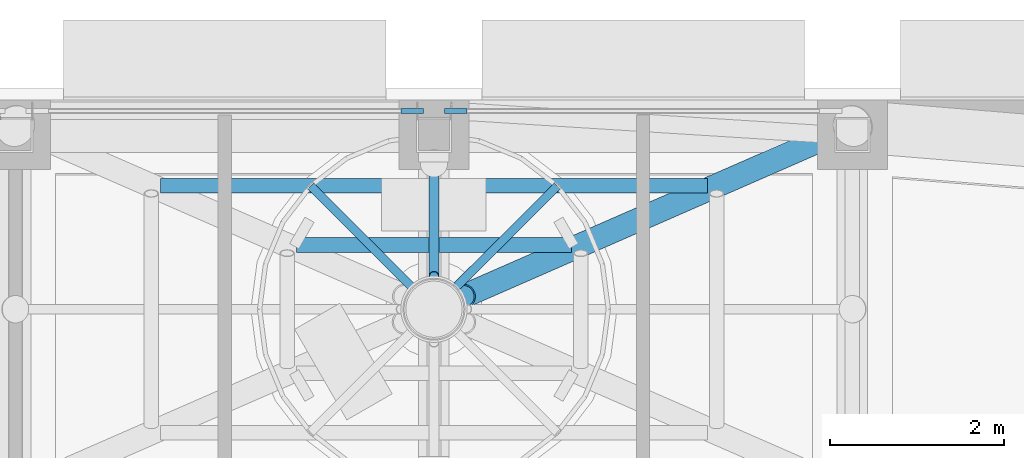
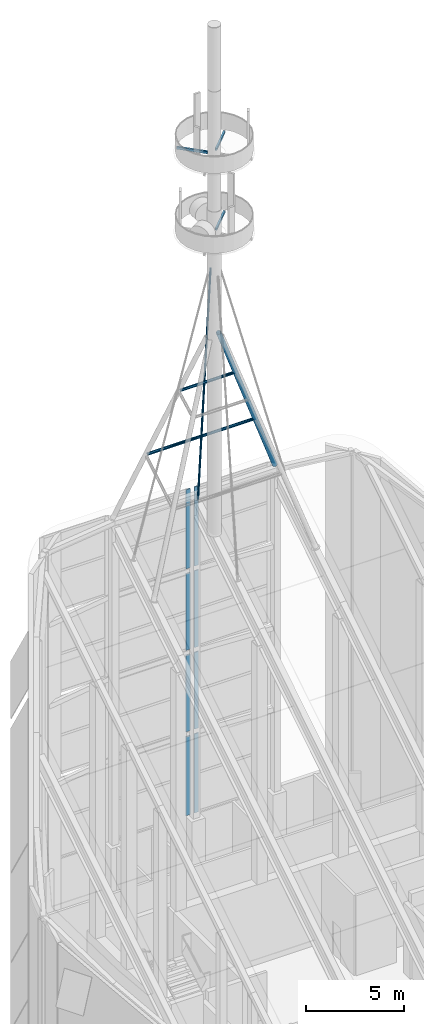
# One storey, part 5 of 25: 15 members, 8 elements without a shape of their own.
"""IFC4 building model written with IfcOpenShell, lengths in metres."""

from ifc_helpers import new_model, si_unit, direction, frame, origin, origin_2d, place, context, subcontext, project, spatial, rectangle, hollow_rectangle, hollow_circle, extrude, material, material_profile, profile_set, type_object, element, aggregate, save


model = new_model("IFC4")

# Units and contexts
model_context = context("Model", 3, precision=1e-05, world=origin(), true_north=direction((0.0, 1.0)))
body_context = subcontext(model_context, "Body", "Model", "MODEL_VIEW")
ifc_project = project(units=[si_unit("LENGTHUNIT", "METRE"), si_unit("AREAUNIT", "SQUARE_METRE"), si_unit("VOLUMEUNIT", "CUBIC_METRE"), si_unit("PLANEANGLEUNIT", "RADIAN"), si_unit("MASSUNIT", "GRAM", prefix="KILO")], contexts=[model_context])

# Site, building, storey
site_placement = place(None, origin())
site = spatial("IfcSite", under=ifc_project, at=site_placement, CompositionType="ELEMENT")
building_placement = place(site_placement, origin())
building = spatial("IfcBuilding", under=site, at=building_placement, Name="Kolab Exchange Tower", CompositionType="ELEMENT")
storey_placement = place(building_placement, frame((0.0, 0.0, 301.89990234375)))
storey = spatial("IfcBuildingStorey", under=building, at=storey_placement, Name="L68", CompositionType="ELEMENT", Elevation=301.89990234375)

# Curtain wall, member
ifc_material_1 = material(Name="Aluminium EN AW-6063 T6", Category="aluminium")
curtain_wall_type = type_object("IfcCurtainWallType", Name="CROWN GLAZING CURTAIN WALL", PredefinedType="NOTDEFINED", material=ifc_material_1)
curtain_wall_1_placement = place(storey_placement, origin())
curtain_wall_1 = element("IfcCurtainWall", 1, at=curtain_wall_1_placement, inside=storey, type_object=curtain_wall_type, Name="cw/L68/crown-F1-2-1", PredefinedType="NOTDEFINED")
ifc_material_profile_1 = material_profile(ifc_material_1, rectangle(XDim=0.06005859375, YDim=0.260009765625, at=origin_2d()), Name="RECT 60X260")
ifc_profile_set_1 = profile_set([ifc_material_profile_1], Name="Aluminium EN AW-6063 T6")
member_type_1 = type_object("IfcMemberType", Name="CROWN GLAZING MULLION 60 X 260", PredefinedType="MULLION", material=ifc_profile_set_1)
member_1_placement = place(storey_placement, frame((-0.25, 16.502685546875, 5.0), z_axis=(0.0, 0.0, 1.0), x_axis=(0.0, 1.0, 0.0)))
member_1 = element("IfcMember", 2, at=member_1_placement, type_object=member_type_1, Name="CW7 mullion 2", PredefinedType="MULLION", context=body_context, shape_type="SweptSolid", body=[
    extrude(rectangle(XDim=0.06005859375, YDim=0.260009765625, at=origin_2d()), origin(), (0.0, 0.0, 1.0), 4.951904296875),
])
aggregate(curtain_wall_1, [member_1])

curtain_wall_2_placement = place(storey_placement, origin())
curtain_wall_2 = element("IfcCurtainWall", 3, at=curtain_wall_2_placement, inside=storey, type_object=curtain_wall_type, Name="cw/L68/crown-F1-2-2", PredefinedType="NOTDEFINED")
member_2_placement = place(storey_placement, frame((-0.25, 16.502685546875, 10.251953125), z_axis=(0.0, 0.0, 1.0), x_axis=(0.0, 1.0, 0.0)))
member_2 = element("IfcMember", 4, at=member_2_placement, type_object=member_type_1, Name="CW7 mullion 2", PredefinedType="MULLION", context=body_context, shape_type="SweptSolid", body=[
    extrude(rectangle(XDim=0.06005859375, YDim=0.260009765625, at=origin_2d()), origin(), (0.0, 0.0, 1.0), 4.8017578125),
])
aggregate(curtain_wall_2, [member_2])

curtain_wall_3_placement = place(storey_placement, origin())
curtain_wall_3 = element("IfcCurtainWall", 5, at=curtain_wall_3_placement, inside=storey, type_object=curtain_wall_type, Name="cw/L68/crown-F1-2-3", PredefinedType="NOTDEFINED")
member_3_placement = place(storey_placement, frame((-0.25, 16.502685546875, 15.353759765625), z_axis=(0.0, 0.0, 1.0), x_axis=(0.0, 1.0, 0.0)))
member_3 = element("IfcMember", 6, at=member_3_placement, type_object=member_type_1, Name="CW7 mullion 2", PredefinedType="MULLION", context=body_context, shape_type="SweptSolid", body=[
    extrude(rectangle(XDim=0.06005859375, YDim=0.260009765625, at=origin_2d()), origin(), (0.0, 0.0, 1.0), 4.8017578125),
])
aggregate(curtain_wall_3, [member_3])

curtain_wall_4_placement = place(storey_placement, origin())
curtain_wall_4 = element("IfcCurtainWall", 7, at=curtain_wall_4_placement, inside=storey, type_object=curtain_wall_type, Name="cw/L68/crown-F1-2-4", PredefinedType="NOTDEFINED")
member_4_placement = place(storey_placement, frame((-0.25, 16.502685546875, 20.45556640625), z_axis=(0.0, 0.0, 1.0), x_axis=(0.0, 1.0, 0.0)))
member_4 = element("IfcMember", 8, at=member_4_placement, type_object=member_type_1, Name="CW7 mullion 2", PredefinedType="MULLION", context=body_context, shape_type="SweptSolid", body=[
    extrude(rectangle(XDim=0.06005859375, YDim=0.260009765625, at=origin_2d()), origin(), (0.0, 0.0, 1.0), 4.951904296875),
])
aggregate(curtain_wall_4, [member_4])

curtain_wall_5_placement = place(storey_placement, origin())
curtain_wall_5 = element("IfcCurtainWall", 9, at=curtain_wall_5_placement, inside=storey, type_object=curtain_wall_type, Name="cw/L68/crown-F1-3-1", PredefinedType="NOTDEFINED")
member_5_placement = place(storey_placement, frame((0.25, 16.502685546875, 5.0), z_axis=(0.0, 0.0, 1.0), x_axis=(0.0, 1.0, 0.0)))
member_5 = element("IfcMember", 10, at=member_5_placement, type_object=member_type_1, Name="CW7 mullion 1", PredefinedType="MULLION", context=body_context, shape_type="SweptSolid", body=[
    extrude(rectangle(XDim=0.06005859375, YDim=0.260009765625, at=origin_2d()), origin(), (0.0, 0.0, 1.0), 4.951904296875),
])
aggregate(curtain_wall_5, [member_5])

curtain_wall_6_placement = place(storey_placement, origin())
curtain_wall_6 = element("IfcCurtainWall", 11, at=curtain_wall_6_placement, inside=storey, type_object=curtain_wall_type, Name="cw/L68/crown-F1-3-2", PredefinedType="NOTDEFINED")
member_6_placement = place(storey_placement, frame((0.25, 16.502685546875, 10.251953125), z_axis=(0.0, 0.0, 1.0), x_axis=(0.0, 1.0, 0.0)))
member_6 = element("IfcMember", 12, at=member_6_placement, type_object=member_type_1, Name="CW7 mullion 1", PredefinedType="MULLION", context=body_context, shape_type="SweptSolid", body=[
    extrude(rectangle(XDim=0.06005859375, YDim=0.260009765625, at=origin_2d()), origin(), (0.0, 0.0, 1.0), 4.8017578125),
])
aggregate(curtain_wall_6, [member_6])

curtain_wall_7_placement = place(storey_placement, origin())
curtain_wall_7 = element("IfcCurtainWall", 13, at=curtain_wall_7_placement, inside=storey, type_object=curtain_wall_type, Name="cw/L68/crown-F1-3-3", PredefinedType="NOTDEFINED")
member_7_placement = place(storey_placement, frame((0.25, 16.502685546875, 15.353759765625), z_axis=(0.0, 0.0, 1.0), x_axis=(0.0, 1.0, 0.0)))
member_7 = element("IfcMember", 14, at=member_7_placement, type_object=member_type_1, Name="CW7 mullion 1", PredefinedType="MULLION", context=body_context, shape_type="SweptSolid", body=[
    extrude(rectangle(XDim=0.06005859375, YDim=0.260009765625, at=origin_2d()), origin(), (0.0, 0.0, 1.0), 4.8017578125),
])
aggregate(curtain_wall_7, [member_7])

curtain_wall_8_placement = place(storey_placement, origin())
curtain_wall_8 = element("IfcCurtainWall", 15, at=curtain_wall_8_placement, inside=storey, type_object=curtain_wall_type, Name="cw/L68/crown-F1-3-4", PredefinedType="NOTDEFINED")
member_8_placement = place(storey_placement, frame((0.25, 16.502685546875, 20.45556640625), z_axis=(0.0, 0.0, 1.0), x_axis=(0.0, 1.0, 0.0)))
member_8 = element("IfcMember", 16, at=member_8_placement, type_object=member_type_1, Name="CW7 mullion 1", PredefinedType="MULLION", context=body_context, shape_type="SweptSolid", body=[
    extrude(rectangle(XDim=0.06005859375, YDim=0.260009765625, at=origin_2d()), origin(), (0.0, 0.0, 1.0), 4.951904296875),
])
aggregate(curtain_wall_8, [member_8])

# Members
ifc_material_2 = material(Name="Steel S355", Category="steel")
ifc_material_profile_2 = material_profile(ifc_material_2, hollow_circle(Radius=0.083984375, WallThickness=0.010009765625, at=origin_2d()), Name="CHS 168X10")
ifc_profile_set_2 = profile_set([ifc_material_profile_2], Name="Steel S355")
member_type_2 = type_object("IfcMemberType", Name="MAST BRACING CHS 168 X 10", PredefinedType="STRUT", material=ifc_profile_set_2)
member_9_placement = place(storey_placement, frame((-3.135986328125, 15.64599609375, 29.12255859375), z_axis=(1.0, 0.0, 0.0), x_axis=(0.0, 1.0, 0.0)))
element("IfcMember", 17, at=member_9_placement, inside=storey, type_object=member_type_2, Name="Mast quadripod bracing", PredefinedType="STRUT", context=body_context, shape_type="SweptSolid", body=[
    extrude(hollow_circle(Radius=0.083984375, WallThickness=0.010009765625, at=origin_2d()), origin(), (0.0, 0.0, 1.0), 6.27197265625),
])
member_10_placement = place(storey_placement, frame((-1.578125, 14.964599609375, 32.976806640625), z_axis=(1.0, 0.0, 0.0), x_axis=(0.0, 1.0, 0.0)))
element("IfcMember", 18, at=member_10_placement, inside=storey, type_object=member_type_2, Name="Mast quadripod bracing", PredefinedType="STRUT", context=body_context, shape_type="SweptSolid", body=[
    extrude(hollow_circle(Radius=0.083984375, WallThickness=0.010009765625, at=origin_2d()), origin(), (0.0, 0.0, 1.0), 3.15625),
])
ifc_material_profile_3 = material_profile(ifc_material_2, hollow_circle(Radius=0.136474609375, WallThickness=0.01611328125, at=origin_2d()), Name="CHS 273X16")
ifc_profile_set_3 = profile_set([ifc_material_profile_3], Name="Steel S355")
member_type_3 = type_object("IfcMemberType", Name="MAST LEG CHS 273 X 16", PredefinedType="BRACE", material=ifc_profile_set_3)
member_11_placement = place(storey_placement, frame((4.800048828125, 16.32763671875, 25.26806640625), z_axis=(-0.369779846802, -0.161777415287, 0.914926736303), x_axis=(0.400816197806, -0.916158488241, 0.0)))
element("IfcMember", 19, at=member_11_placement, inside=storey, type_object=member_type_3, Name="Mast quadripod leg", PredefinedType="BRACE", context=body_context, shape_type="SweptSolid", body=[
    extrude(hollow_circle(Radius=0.136474609375, WallThickness=0.01611328125, at=origin_2d()), origin(), (0.0, 0.0, 1.0), 12.03662109375),
])
ifc_material_profile_4 = material_profile(ifc_material_2, hollow_rectangle(XDim=0.10009765625, YDim=0.14990234375, WallThickness=0.008056640625, at=origin_2d()), Name="RHS150X100X8")
ifc_profile_set_4 = profile_set([ifc_material_profile_4], Name="Steel S355")
member_type_4 = type_object("IfcMemberType", Name="MAST PLATFORM ARM RHS 150 X 100 X 8", PredefinedType="MEMBER", material=ifc_profile_set_4)
member_12_placement = place(storey_placement, frame((0.267333984375, 14.4951171875, 42.706298828125), z_axis=(0.70718204134, 0.707031513022, 0.0), x_axis=(-0.707031513022, 0.70718204134, 0.0)))
element("IfcMember", 20, at=member_12_placement, inside=storey, type_object=member_type_4, Name="Mast platform arm", PredefinedType="MEMBER", context=body_context, shape_type="SweptSolid", body=[
    extrude(hollow_rectangle(XDim=0.10009765625, YDim=0.14990234375, WallThickness=0.008056640625, at=origin_2d()), origin(), (0.0, 0.0, 1.0), 1.621826171875),
])
for number, where, z_axis, x_axis, name in (
    (21, (0.249267578125, 14.476806640625, 47.706298828125), (0.707106781187, 0.707106781187, 0.0), (-0.707106781187, 0.707106781187, 0.0), "Mast platform arm"),
    (22, (-0.249267578125, 14.476806640625, 47.706298828125), (-0.707106781187, 0.707106781187, 0.0), (-0.707106781187, -0.707106781187, 0.0), "Mast platform arm"),
):
    element("IfcMember", number, at=place(storey_placement, frame(where, z_axis=z_axis, x_axis=x_axis)), inside=storey, type_object=member_type_4, Name=name, PredefinedType="MEMBER", context=body_context, shape_type="SweptSolid", body=[
        extrude(hollow_rectangle(XDim=0.10009765625, YDim=0.14990234375, WallThickness=0.008056640625, at=origin_2d()), origin(), (0.0, 0.0, 1.0), 1.647705078125),
    ])
ifc_material_profile_5 = material_profile(ifc_material_2, hollow_circle(Radius=0.056884765625, WallThickness=0.006103515625, at=origin_2d()), Name="CHS 114X6")
ifc_profile_set_5 = profile_set([ifc_material_profile_5], Name="Steel S355")
member_type_5 = type_object("IfcMemberType", Name="MAST STAY CHS 114 X 6", PredefinedType="BRACE", material=ifc_profile_set_5)
member_13_placement = place(storey_placement, frame((0.0, 15.89990234375, 25.0009765625), z_axis=(0.0, -0.084334030769, 0.996437540067), x_axis=(1.0, 0.0, 0.0)))
element("IfcMember", 23, at=member_13_placement, inside=storey, type_object=member_type_5, Name="Antenna mast stay", PredefinedType="BRACE", context=body_context, shape_type="SweptSolid", body=[
    extrude(hollow_circle(Radius=0.056884765625, WallThickness=0.006103515625, at=origin_2d()), origin(), (0.0, 0.0, 1.0), 15.33447265625),
])

save(model, "model.ifc")
